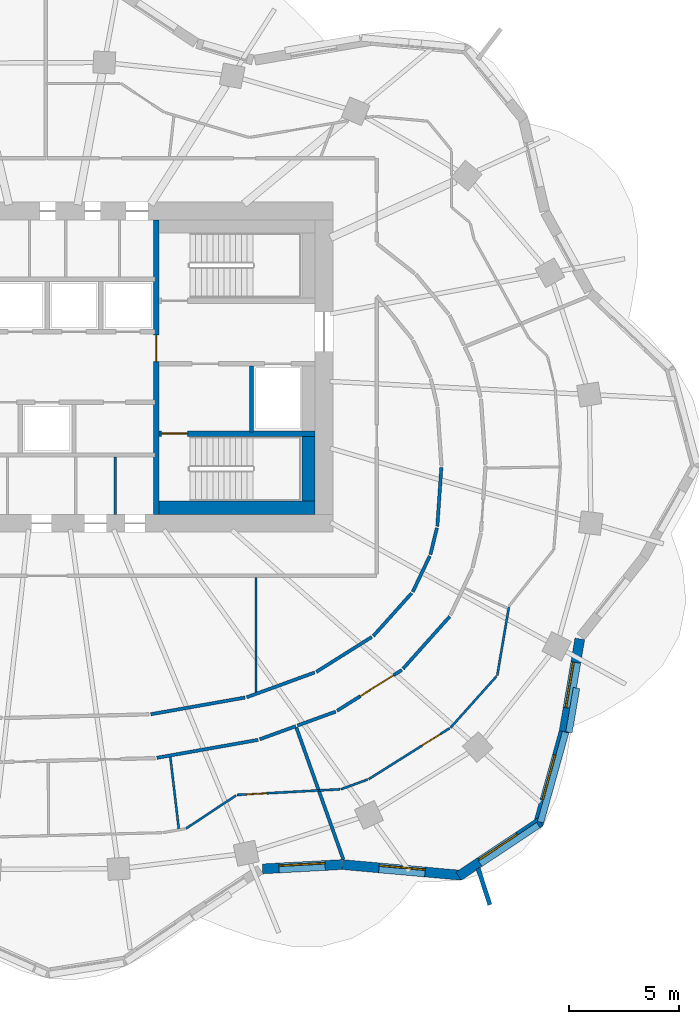
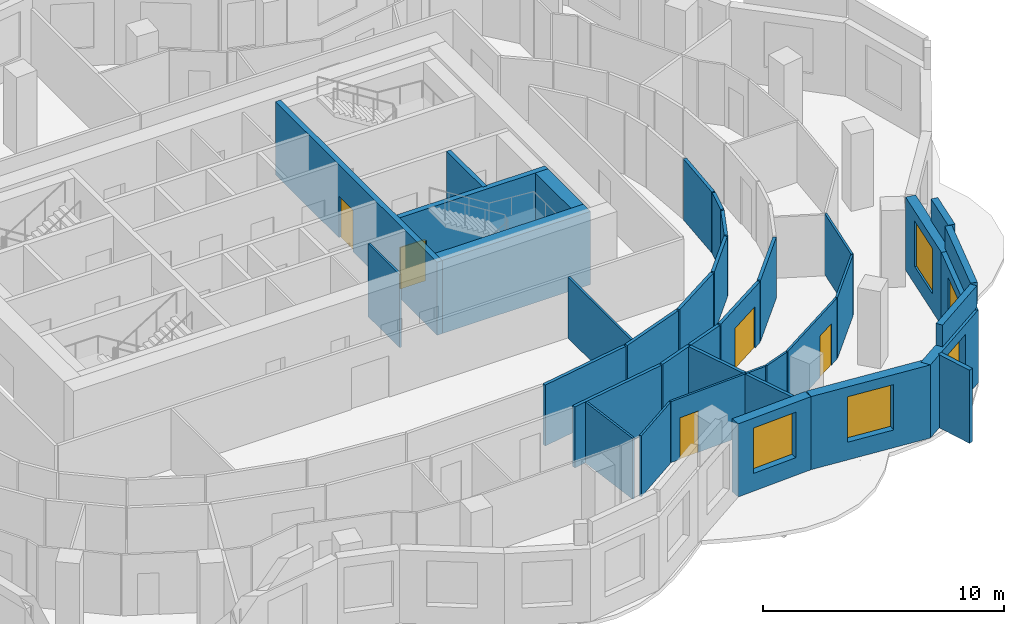
# One storey, part 6 of 11: 37 walls, 5 doors, 5 windows, 10 openings.
"""IFC4 building model written with IfcOpenShell, lengths in metres."""

from ifc_helpers import new_model, si_unit, direction, frame, frame_2d, origin, place, context, subcontext, project, spatial, rectangle, extrude, material, layer, layer_set, type_object, element, fill, save


model = new_model("IFC4")

# Units and contexts
model_context = context("Model", 3, precision=1e-05, world=origin(), true_north=direction((0.0, 1.0)))
body_context = subcontext(model_context, "Body", "Model", "MODEL_VIEW")
ifc_project = project(units=[si_unit("LENGTHUNIT", "METRE"), si_unit("AREAUNIT", "SQUARE_METRE"), si_unit("VOLUMEUNIT", "CUBIC_METRE"), si_unit("PLANEANGLEUNIT", "RADIAN"), si_unit("MASSUNIT", "GRAM", prefix="KILO")], contexts=[model_context])

# Site, building, storey
site_placement = place(None, origin())
site = spatial("IfcSite", under=ifc_project, at=site_placement, CompositionType="ELEMENT")
building_placement = place(site_placement, origin())
building = spatial("IfcBuilding", under=site, at=building_placement, Name="Rubra Terraces Tower", CompositionType="ELEMENT")
storey_placement = place(building_placement, frame((0.0, 0.0, 185.699951171875)))
storey = spatial("IfcBuildingStorey", under=building, at=storey_placement, Name="L45", CompositionType="ELEMENT", Elevation=185.699951171875)

# Wall, opening, window
ifc_material_1 = material(Name="Brick masonry red-brown", Category="masonry")
ifc_layer_1 = layer(ifc_material_1, 0.449951171875)
ifc_layer_set_1 = layer_set([ifc_layer_1], Name="Brick masonry red-brown")
wall_type_1 = type_object("IfcWallType", Name="Brick facade wall 450", PredefinedType="SOLIDWALL", material=ifc_layer_set_1)
wall_1_placement = place(storey_placement, frame((9.80322265625, -18.333740234375, 0.0), z_axis=(0.0, 0.0, 1.0), x_axis=(0.998525941495, 0.054276552602, 0.0)))
wall_1 = element("IfcWall", 1, at=wall_1_placement, inside=storey, type_object=wall_type_1, Name="Facade wall L45 bay 34", PredefinedType="SOLIDWALL", context=body_context, shape_type="SweptSolid", body=[
    extrude(rectangle(XDim=3.60302734375, YDim=0.449951171875, at=frame_2d((1.801513671875, 0.0))), origin(), (0.0, 0.0, 1.0), 3.699951171875),
])
opening_1_placement = place(wall_1_placement, frame((0.75146484375, 0.0, 0.89990234375)))
opening_1 = element("IfcOpeningElement", 2, at=opening_1_placement, cuts=wall_1, Name="Opening W1B", PredefinedType="OPENING", context=body_context, shape_type="SweptSolid", body=[
    extrude(rectangle(XDim=2.10009765625, YDim=2.300048828125, at=frame_2d((1.050048828125, 1.14990234375))), frame((0.0, 0.23486328125, 0.0), z_axis=(0.0, -1.0, 0.0), x_axis=(1.0, 0.0, 0.0)), (0.0, 0.0, 1.0), 0.469970703125),
])
ifc_material_2 = material(Name="Clear glass in aluminium frame", Category="aluminium")
window_type = type_object("IfcWindowType", Name="Fixed deep-set window tall storey 2100 x 2300", PartitioningType="SINGLE_PANEL", PredefinedType="WINDOW", material=ifc_material_2)
window_1_placement = place(opening_1_placement, origin())
window_1 = element("IfcWindow", 3, at=window_1_placement, inside=storey, type_object=window_type, Name="Window L45 bay 34", OverallHeight=2.300048828125, OverallWidth=2.10009765625, PartitioningType="SINGLE_PANEL", PredefinedType="WINDOW", context=body_context, shape_type="SweptSolid", body=[
    extrude(rectangle(XDim=2.10009765625, YDim=2.300048828125, at=frame_2d((1.050048828125, 1.14990234375))), frame((0.0, 0.135009765625, 0.0), z_axis=(0.0, -1.0, 0.0), x_axis=(1.0, 0.0, 0.0)), (0.0, 0.0, 1.0), 0.06005859375),
])
fill(opening_1, window_1)

wall_2_placement = place(storey_placement, frame((13.435791015625, -18.1376953125, 0.0), z_axis=(0.0, 0.0, 1.0), x_axis=(0.99598810213, -0.089485755376, 0.0)))
wall_2 = element("IfcWall", 4, at=wall_2_placement, inside=storey, type_object=wall_type_1, Name="Facade wall L45 bay 35", PredefinedType="SOLIDWALL", context=body_context, shape_type="SweptSolid", body=[
    extrude(rectangle(XDim=5.451171875, YDim=0.449951171875, at=frame_2d((2.7255859375, 0.0))), origin(), (0.0, 0.0, 1.0), 3.699951171875),
])
opening_2_placement = place(wall_2_placement, frame((1.675537109375, 0.0, 0.89990234375)))
opening_2 = element("IfcOpeningElement", 5, at=opening_2_placement, cuts=wall_2, Name="Opening W1B", PredefinedType="OPENING", context=body_context, shape_type="SweptSolid", body=[
    extrude(rectangle(XDim=2.10009765625, YDim=2.300048828125, at=frame_2d((1.050048828125, 1.14990234375))), frame((0.0, 0.23486328125, 0.0), z_axis=(0.0, -1.0, 0.0), x_axis=(1.0, 0.0, 0.0)), (0.0, 0.0, 1.0), 0.469970703125),
])
window_2_placement = place(opening_2_placement, origin())
window_2 = element("IfcWindow", 6, at=window_2_placement, inside=storey, type_object=window_type, Name="Window L45 bay 35", OverallHeight=2.300048828125, OverallWidth=2.10009765625, PartitioningType="SINGLE_PANEL", PredefinedType="WINDOW", context=body_context, shape_type="SweptSolid", body=[
    extrude(rectangle(XDim=2.10009765625, YDim=2.300048828125, at=frame_2d((1.050048828125, 1.14990234375))), frame((0.0, 0.135009765625, 0.0), z_axis=(0.0, -1.0, 0.0), x_axis=(1.0, 0.0, 0.0)), (0.0, 0.0, 1.0), 0.06005859375),
])
fill(opening_2, window_2)

wall_3_placement = place(storey_placement, frame((18.7255859375, -18.66259765625, 0.0), z_axis=(0.0, 0.0, 1.0), x_axis=(0.83333921474, 0.552761931736, 0.0)))
wall_3 = element("IfcWall", 7, at=wall_3_placement, inside=storey, type_object=wall_type_1, Name="Facade wall L45 bay 36", PredefinedType="SOLIDWALL", context=body_context, shape_type="SweptSolid", body=[
    extrude(rectangle(XDim=4.45068359375, YDim=0.449951171875, at=frame_2d((2.225341796875, 0.0))), origin(), (0.0, 0.0, 1.0), 3.699951171875),
])
opening_3_placement = place(wall_3_placement, frame((1.17529296875, 0.0, 0.89990234375)))
opening_3 = element("IfcOpeningElement", 8, at=opening_3_placement, cuts=wall_3, Name="Opening W1B", PredefinedType="OPENING", context=body_context, shape_type="SweptSolid", body=[
    extrude(rectangle(XDim=2.10009765625, YDim=2.300048828125, at=frame_2d((1.050048828125, 1.14990234375))), frame((0.0, 0.23486328125, 0.0), z_axis=(0.0, -1.0, 0.0), x_axis=(1.0, 0.0, 0.0)), (0.0, 0.0, 1.0), 0.469970703125),
])
window_3_placement = place(opening_3_placement, origin())
window_3 = element("IfcWindow", 9, at=window_3_placement, inside=storey, type_object=window_type, Name="Window L45 bay 36", OverallHeight=2.300048828125, OverallWidth=2.10009765625, PartitioningType="SINGLE_PANEL", PredefinedType="WINDOW", context=body_context, shape_type="SweptSolid", body=[
    extrude(rectangle(XDim=2.10009765625, YDim=2.300048828125, at=frame_2d((1.050048828125, 1.14990234375))), frame((0.0, 0.135009765625, 0.0), z_axis=(0.0, -1.0, 0.0), x_axis=(1.0, 0.0, 0.0)), (0.0, 0.0, 1.0), 0.06005859375),
])
fill(opening_3, window_3)

wall_4_placement = place(storey_placement, frame((22.343505859375, -16.32568359375, 0.0), z_axis=(0.0, 0.0, 1.0), x_axis=(0.267925456304, 0.963439645159, 0.0)))
wall_4 = element("IfcWall", 10, at=wall_4_placement, inside=storey, type_object=wall_type_1, Name="Facade wall L45 bay 37", PredefinedType="SOLIDWALL", context=body_context, shape_type="SweptSolid", body=[
    extrude(rectangle(XDim=4.4267578125, YDim=0.449951171875, at=frame_2d((2.21337890625, 0.0))), origin(), (0.0, 0.0, 1.0), 3.699951171875),
])
opening_4_placement = place(wall_4_placement, frame((1.16357421875, 0.0, 0.89990234375)))
opening_4 = element("IfcOpeningElement", 11, at=opening_4_placement, cuts=wall_4, Name="Opening W1B", PredefinedType="OPENING", context=body_context, shape_type="SweptSolid", body=[
    extrude(rectangle(XDim=2.10009765625, YDim=2.300048828125, at=frame_2d((1.050048828125, 1.14990234375))), frame((0.0, 0.23486328125, 0.0), z_axis=(0.0, -1.0, 0.0), x_axis=(1.0, 0.0, 0.0)), (0.0, 0.0, 1.0), 0.469970703125),
])
window_4_placement = place(opening_4_placement, origin())
window_4 = element("IfcWindow", 12, at=window_4_placement, inside=storey, type_object=window_type, Name="Window L45 bay 37", OverallHeight=2.300048828125, OverallWidth=2.10009765625, PartitioningType="SINGLE_PANEL", PredefinedType="WINDOW", context=body_context, shape_type="SweptSolid", body=[
    extrude(rectangle(XDim=2.10009765625, YDim=2.300048828125, at=frame_2d((1.050048828125, 1.14990234375))), frame((0.0, 0.135009765625, 0.0), z_axis=(0.0, -1.0, 0.0), x_axis=(1.0, 0.0, 0.0)), (0.0, 0.0, 1.0), 0.06005859375),
])
fill(opening_4, window_4)

wall_5_placement = place(storey_placement, frame((23.524169921875, -12.0830078125, 0.0), z_axis=(0.0, 0.0, 1.0), x_axis=(0.167445072349, 0.985881406532, 0.0)))
wall_5 = element("IfcWall", 13, at=wall_5_placement, inside=storey, type_object=wall_type_1, Name="Facade wall L45 bay 38", PredefinedType="SOLIDWALL", context=body_context, shape_type="SweptSolid", body=[
    extrude(rectangle(XDim=4.27490234375, YDim=0.449951171875, at=frame_2d((2.137451171875, 0.0))), origin(), (0.0, 0.0, 1.0), 3.699951171875),
])
opening_5_placement = place(wall_5_placement, frame((1.08740234375, 0.0, 0.89990234375)))
opening_5 = element("IfcOpeningElement", 14, at=opening_5_placement, cuts=wall_5, Name="Opening W1B", PredefinedType="OPENING", context=body_context, shape_type="SweptSolid", body=[
    extrude(rectangle(XDim=2.10009765625, YDim=2.300048828125, at=frame_2d((1.050048828125, 1.14990234375))), frame((0.0, 0.23486328125, 0.0), z_axis=(0.0, -1.0, 0.0), x_axis=(1.0, 0.0, 0.0)), (0.0, 0.0, 1.0), 0.469970703125),
])
window_5_placement = place(opening_5_placement, origin())
window_5 = element("IfcWindow", 15, at=window_5_placement, inside=storey, type_object=window_type, Name="Window L45 bay 38", OverallHeight=2.300048828125, OverallWidth=2.10009765625, PartitioningType="SINGLE_PANEL", PredefinedType="WINDOW", context=body_context, shape_type="SweptSolid", body=[
    extrude(rectangle(XDim=2.10009765625, YDim=2.300048828125, at=frame_2d((1.050048828125, 1.14990234375))), frame((0.0, 0.135009765625, 0.0), z_axis=(0.0, -1.0, 0.0), x_axis=(1.0, 0.0, 0.0)), (0.0, 0.0, 1.0), 0.06005859375),
])
fill(opening_5, window_5)

# Walls
ifc_layer_2 = layer(ifc_material_1, 0.300048828125)
ifc_layer_set_2 = layer_set([ifc_layer_2], Name="Brick masonry red-brown")
wall_type_2 = type_object("IfcWallType", Name="Brick parapet 300", PredefinedType="PARAPET", material=ifc_layer_set_2)
wall_6_placement = place(storey_placement, frame((19.70751953125, -18.101318359375, 3.900146484375), z_axis=(0.0, 0.0, 1.0), x_axis=(0.833370664286, 0.552714515738, 0.0)))
element("IfcWall", 16, at=wall_6_placement, inside=storey, type_object=wall_type_2, Name="Parapet L45 bay 36", PredefinedType="PARAPET", context=body_context, shape_type="SweptSolid", body=[
    extrude(rectangle(XDim=3.180419921875, YDim=0.300048828125, at=frame_2d((1.59033203125, 0.0))), origin(), (0.0, 0.0, 1.0), 1.099853515625),
])
wall_7_placement = place(storey_placement, frame((22.452392578125, -16.213134765625, 3.900146484375), z_axis=(0.0, 0.0, 1.0), x_axis=(0.267993020858, 0.963420853403, 0.0)))
element("IfcWall", 17, at=wall_7_placement, inside=storey, type_object=wall_type_2, Name="Parapet L45 bay 37", PredefinedType="PARAPET", context=body_context, shape_type="SweptSolid", body=[
    extrude(rectangle(XDim=4.25537109375, YDim=0.300048828125, at=frame_2d((2.127685546875, 0.0))), origin(), (0.0, 0.0, 1.0), 1.099853515625),
])
wall_8_placement = place(storey_placement, frame((23.7451171875, -12.125, 3.900146484375), z_axis=(0.0, 0.0, 1.0), x_axis=(0.16743218322, 0.985883595574, 0.0)))
element("IfcWall", 18, at=wall_8_placement, inside=storey, type_object=wall_type_2, Name="Parapet L45 bay 38", PredefinedType="PARAPET", context=body_context, shape_type="SweptSolid", body=[
    extrude(rectangle(XDim=2.048583984375, YDim=0.300048828125, at=frame_2d((1.0244140625, 0.0))), origin(), (0.0, 0.0, 1.0), 1.099853515625),
])
ifc_layer_3 = layer(ifc_material_1, 0.199951171875)
ifc_layer_set_3 = layer_set([ifc_layer_3], Name="Brick masonry red-brown")
wall_type_3 = type_object("IfcWallType", Name="Brick wind fin 200", PredefinedType="SOLIDWALL", material=ifc_layer_set_3)
wall_9_placement = place(storey_placement, frame((19.60888671875, -18.304931640625, 0.0), z_axis=(0.0, 0.0, 1.0), x_axis=(0.308600224758, -0.951191832008, 0.0)))
element("IfcWall", 19, at=wall_9_placement, inside=storey, type_object=wall_type_3, Name="Wind fin L45 22", PredefinedType="SOLIDWALL", context=body_context, shape_type="SweptSolid", body=[
    extrude(rectangle(XDim=1.75, YDim=0.199951171875, at=frame_2d((0.875, 0.0))), origin(), (0.0, 0.0, 1.0), 3.699951171875),
])
ifc_material_3 = material(Name="Plasterboard on steel stud, mineral wool infill", Category="steel")
ifc_layer_4 = layer(ifc_material_3, 0.14990234375)
ifc_layer_set_4 = layer_set([ifc_layer_4], Name="Plasterboard on steel stud, mineral wool infill")
wall_type_4 = type_object("IfcWallType", Name="CORRIDOR PARTITION 150", PredefinedType="PARTITIONING", material=ifc_layer_set_4)
wall_10_placement = place(storey_placement, frame((4.994873046875, -13.28125, 0.0), z_axis=(0.0, 0.0, 1.0), x_axis=(0.98463411377, 0.174630071865, 0.0)))
element("IfcWall", 20, at=wall_10_placement, inside=storey, type_object=wall_type_4, Name="PARTITION", PredefinedType="PARTITIONING", context=body_context, shape_type="SweptSolid", body=[
    extrude(rectangle(XDim=4.68212890625, YDim=0.14990234375, at=frame_2d((2.341064453125, 0.0))), origin(), (0.0, 0.0, 1.0), 3.083984375),
])
wall_11_placement = place(storey_placement, frame((9.675537109375, -12.43798828125, 0.0), z_axis=(0.0, 0.0, 1.0), x_axis=(0.939630331536, 0.342191233169, 0.0)))
element("IfcWall", 21, at=wall_11_placement, inside=storey, type_object=wall_type_4, Name="PARTITION", PredefinedType="PARTITIONING", context=body_context, shape_type="SweptSolid", body=[
    extrude(rectangle(XDim=1.74951171875, YDim=0.14990234375, at=frame_2d((0.874755859375, 0.0))), origin(), (0.0, 0.0, 1.0), 3.083984375),
])
wall_12_placement = place(storey_placement, frame((11.389892578125, -11.813720703125, 0.0), z_axis=(0.0, 0.0, 1.0), x_axis=(0.939639632456, 0.342165692491, 0.0)))
element("IfcWall", 22, at=wall_12_placement, inside=storey, type_object=wall_type_4, Name="PARTITION", PredefinedType="PARTITIONING", context=body_context, shape_type="SweptSolid", body=[
    extrude(rectangle(XDim=1.855224609375, YDim=0.14990234375, at=frame_2d((0.927734375, 0.0))), origin(), (0.0, 0.0, 1.0), 3.083984375),
])

# Wall, opening, door
wall_13_placement = place(storey_placement, frame((13.196533203125, -11.138916015625, 0.0), z_axis=(0.0, 0.0, 1.0), x_axis=(0.846390903833, 0.532562144644, 0.0)))
wall_13 = element("IfcWall", 23, at=wall_13_placement, inside=storey, type_object=wall_type_4, Name="PARTITION", PredefinedType="PARTITIONING", context=body_context, shape_type="SweptSolid", body=[
    extrude(rectangle(XDim=3.481201171875, YDim=0.14990234375, at=frame_2d((1.74072265625, 0.0))), origin(), (0.0, 0.0, 1.0), 3.083984375),
])
opening_6_placement = place(wall_13_placement, frame((1.25, 0.0, 0.0)))
opening_6 = element("IfcOpeningElement", 24, at=opening_6_placement, cuts=wall_13, Name="Opening 45-112", PredefinedType="OPENING", context=body_context, shape_type="SweptSolid", body=[
    extrude(rectangle(XDim=1.800048828125, YDim=2.10009765625, at=frame_2d((0.89990234375, 1.050048828125))), frame((0.0, 0.0849609375, 0.0), z_axis=(0.0, -1.0, 0.0), x_axis=(1.0, 0.0, 0.0)), (0.0, 0.0, 1.0), 0.169921875),
])
ifc_material_4 = material(Name="Painted timber door leaf, double", Category="wood")
door_type_1 = type_object("IfcDoorType", Name="ROOM DOUBLE DOOR 1800 X 2100", OperationType="DOUBLE_DOOR_SINGLE_SWING", PredefinedType="DOOR", material=ifc_material_4)
door_1_placement = place(opening_6_placement, origin())
door_1 = element("IfcDoor", 25, at=door_1_placement, inside=storey, type_object=door_type_1, Name="DOOR 45-112", OperationType="DOUBLE_DOOR_SINGLE_SWING", OverallHeight=2.10009765625, OverallWidth=1.800048828125, PredefinedType="DOOR", context=body_context, shape_type="SweptSolid", body=[
    extrude(rectangle(XDim=1.800048828125, YDim=2.10009765625, at=frame_2d((0.89990234375, 1.050048828125))), frame((0.0, 0.02490234375, 0.0), z_axis=(0.0, -1.0, 0.0), x_axis=(1.0, 0.0, 0.0)), (0.0, 0.0, 1.0), 0.050048828125),
])
fill(opening_6, door_1)

# Walls
wall_14_placement = place(storey_placement, frame((16.193115234375, -9.22900390625, 0.0), z_axis=(0.0, 0.0, 1.0), x_axis=(0.666882089048, 0.745163256815, 0.0)))
element("IfcWall", 26, at=wall_14_placement, inside=storey, type_object=wall_type_4, Name="PARTITION", PredefinedType="PARTITIONING", context=body_context, shape_type="SweptSolid", body=[
    extrude(rectangle(XDim=3.1904296875, YDim=0.14990234375, at=frame_2d((1.59521484375, 0.0))), origin(), (0.0, 0.0, 1.0), 3.083984375),
])
wall_15_placement = place(storey_placement, frame((17.939208984375, -0.07470703125, 0.0), z_axis=(0.0, 0.0, 1.0), x_axis=(-0.068226099283, -0.99766988497, 0.0)))
element("IfcWall", 27, at=wall_15_placement, inside=storey, type_object=wall_type_4, Name="PARTITION", PredefinedType="PARTITIONING", context=body_context, shape_type="SweptSolid", body=[
    extrude(rectangle(XDim=2.6767578125, YDim=0.14990234375, at=frame_2d((1.33837890625, 0.0))), origin(), (0.0, 0.0, 1.0), 3.083984375),
])
wall_16_placement = place(storey_placement, frame((17.739013671875, -2.818115234375, 0.0), z_axis=(0.0, 0.0, 1.0), x_axis=(-0.236884307907, -0.971537865792, 0.0)))
element("IfcWall", 28, at=wall_16_placement, inside=storey, type_object=wall_type_4, Name="PARTITION", PredefinedType="PARTITIONING", context=body_context, shape_type="SweptSolid", body=[
    extrude(rectangle(XDim=1.251220703125, YDim=0.14990234375, at=frame_2d((0.62548828125, 0.0))), origin(), (0.0, 0.0, 1.0), 3.083984375),
])
wall_17_placement = place(storey_placement, frame((17.410400390625, -4.1015625, 0.0), z_axis=(0.0, 0.0, 1.0), x_axis=(-0.428074720318, -0.903743345107, 0.0)))
element("IfcWall", 29, at=wall_17_placement, inside=storey, type_object=wall_type_4, Name="PARTITION", PredefinedType="PARTITIONING", context=body_context, shape_type="SweptSolid", body=[
    extrude(rectangle(XDim=1.8056640625, YDim=0.14990234375, at=frame_2d((0.90283203125, 0.0))), origin(), (0.0, 0.0, 1.0), 3.083984375),
])
wall_18_placement = place(storey_placement, frame((16.58740234375, -5.789306640625, 0.0), z_axis=(0.0, 0.0, 1.0), x_axis=(-0.666887460656, -0.745158449472, 0.0)))
element("IfcWall", 30, at=wall_18_placement, inside=storey, type_object=wall_type_4, Name="PARTITION", PredefinedType="PARTITIONING", context=body_context, shape_type="SweptSolid", body=[
    extrude(rectangle(XDim=2.6201171875, YDim=0.14990234375, at=frame_2d((1.31005859375, 0.0))), origin(), (0.0, 0.0, 1.0), 3.083984375),
])
wall_19_placement = place(storey_placement, frame((14.776611328125, -7.781494140625, 0.0), z_axis=(0.0, 0.0, 1.0), x_axis=(-0.846359741043, -0.532611667862, 0.0)))
element("IfcWall", 31, at=wall_19_placement, inside=storey, type_object=wall_type_4, Name="PARTITION", PredefinedType="PARTITIONING", context=body_context, shape_type="SweptSolid", body=[
    extrude(rectangle(XDim=2.9873046875, YDim=0.14990234375, at=frame_2d((1.49365234375, 0.0))), origin(), (0.0, 0.0, 1.0), 3.083984375),
])
wall_20_placement = place(storey_placement, frame((12.177734375, -9.398193359375, 0.0), z_axis=(0.0, 0.0, 1.0), x_axis=(-0.939609240084, -0.342249143093, 0.0)))
element("IfcWall", 32, at=wall_20_placement, inside=storey, type_object=wall_type_4, Name="PARTITION", PredefinedType="PARTITIONING", context=body_context, shape_type="SweptSolid", body=[
    extrude(rectangle(XDim=3.2919921875, YDim=0.14990234375, at=frame_2d((1.64599609375, 0.0))), origin(), (0.0, 0.0, 1.0), 3.083984375),
])
wall_21_placement = place(storey_placement, frame((9.010498046875, -10.5380859375, 0.0), z_axis=(0.0, 0.0, 1.0), x_axis=(-0.984645638575, -0.174565077936, 0.0)))
element("IfcWall", 33, at=wall_21_placement, inside=storey, type_object=wall_type_4, Name="PARTITION", PredefinedType="PARTITIONING", context=body_context, shape_type="SweptSolid", body=[
    extrude(rectangle(XDim=4.35791015625, YDim=0.14990234375, at=frame_2d((2.178955078125, 0.0))), origin(), (0.0, 0.0, 1.0), 3.083984375),
])
ifc_material_5 = material(Name="Concrete C40", Category="concrete")
ifc_layer_5 = layer(ifc_material_5, 0.60009765625)
ifc_layer_set_5 = layer_set([ifc_layer_5], Name="Concrete C40")
wall_type_5 = type_object("IfcWallType", Name="Core lining wall 600 concrete", PredefinedType="SOLIDWALL", material=ifc_layer_set_5)
wall_22_placement = place(storey_placement, frame((11.89990234375, 1.35009765625, 0.0), z_axis=(0.0, 0.0, 1.0), x_axis=(0.0, -1.0, 0.0)))
element("IfcWall", 34, at=wall_22_placement, inside=storey, type_object=wall_type_5, Name="CORE LINING WALL L45", PredefinedType="SOLIDWALL", context=body_context, shape_type="SweptSolid", body=[
    extrude(rectangle(XDim=2.9501953125, YDim=0.60009765625, at=frame_2d((1.47509765625, 0.0))), origin(), (0.0, 0.0, 1.0), 3.699951171875),
])
wall_23_placement = place(storey_placement, frame((12.199951171875, -1.89990234375, 0.0), z_axis=(0.0, 0.0, 1.0), x_axis=(-1.0, 0.0, 0.0)))
element("IfcWall", 35, at=wall_23_placement, inside=storey, type_object=wall_type_5, Name="CORE LINING WALL L45", PredefinedType="SOLIDWALL", context=body_context, shape_type="SweptSolid", body=[
    extrude(rectangle(XDim=7.099853515625, YDim=0.60009765625, at=frame_2d((3.5498046875, 0.0))), origin(), (0.0, 0.0, 1.0), 3.699951171875),
])
ifc_material_6 = material(Name="Concrete C30", Category="concrete")
ifc_layer_6 = layer(ifc_material_6, 0.199951171875)
ifc_layer_set_6 = layer_set([ifc_layer_6], Name="Concrete C30")
wall_type_6 = type_object("IfcWallType", Name="Core wall 200 concrete", PredefinedType="SOLIDWALL", material=ifc_layer_set_6)
wall_24_placement = place(storey_placement, frame((9.300048828125, 4.550048828125, 0.0), z_axis=(0.0, 0.0, 1.0), x_axis=(0.0, -1.0, 0.0)))
element("IfcWall", 36, at=wall_24_placement, inside=storey, type_object=wall_type_6, Name="STAIR WALL L45", PredefinedType="SOLIDWALL", context=body_context, shape_type="SweptSolid", body=[
    extrude(rectangle(XDim=3.0, YDim=0.199951171875, at=frame_2d((1.5, 0.0))), origin(), (0.0, 0.0, 1.0), 3.699951171875),
])

# Wall, opening, door
ifc_material_7 = material(Name="Plasterboard on steel stud", Category="steel")
ifc_layer_7 = layer(ifc_material_7, 0.10009765625)
ifc_layer_set_7 = layer_set([ifc_layer_7], Name="Plasterboard on steel stud")
wall_type_7 = type_object("IfcWallType", Name="ROOM PARTITION 100", PredefinedType="PARTITIONING", material=ifc_layer_set_7)
wall_25_placement = place(storey_placement, frame((12.340087890625, -14.765869140625, 0.0), z_axis=(0.0, 0.0, 1.0), x_axis=(-0.998525257467, -0.054289135192, 0.0)))
wall_25 = element("IfcWall", 37, at=wall_25_placement, inside=storey, type_object=wall_type_7, Name="PARTITION", PredefinedType="PARTITIONING", context=body_context, shape_type="SweptSolid", body=[
    extrude(rectangle(XDim=3.7099609375, YDim=0.10009765625, at=frame_2d((1.85498046875, 0.0))), origin(), (0.0, 0.0, 1.0), 3.083984375),
])
opening_7_placement = place(wall_25_placement, frame((2.35009765625, 0.0, 0.0)))
opening_7 = element("IfcOpeningElement", 38, at=opening_7_placement, cuts=wall_25, Name="Opening 45-111", PredefinedType="OPENING", context=body_context, shape_type="SweptSolid", body=[
    extrude(rectangle(XDim=0.89990234375, YDim=2.10009765625, at=frame_2d((0.449951171875, 1.050048828125))), frame((0.0, 0.06005859375, 0.0), z_axis=(0.0, -1.0, 0.0), x_axis=(1.0, 0.0, 0.0)), (0.0, 0.0, 1.0), 0.1201171875),
])
ifc_material_8 = material(Name="Painted timber door leaf", Category="wood")
door_type_2 = type_object("IfcDoorType", Name="ROOM DOOR 900 X 2100", OperationType="SINGLE_SWING_LEFT", PredefinedType="DOOR", material=ifc_material_8)
door_2_placement = place(opening_7_placement, origin())
door_2 = element("IfcDoor", 39, at=door_2_placement, inside=storey, type_object=door_type_2, Name="DOOR 45-111", OperationType="SINGLE_SWING_LEFT", OverallHeight=2.10009765625, OverallWidth=0.89990234375, PredefinedType="DOOR", context=body_context, shape_type="SweptSolid", body=[
    extrude(rectangle(XDim=0.89990234375, YDim=2.10009765625, at=frame_2d((0.449951171875, 1.050048828125))), frame((0.0, 0.02490234375, 0.0), z_axis=(0.0, -1.0, 0.0), x_axis=(1.0, 0.0, 0.0)), (0.0, 0.0, 1.0), 0.050048828125),
])
fill(opening_7, door_2)

# Walls
wall_26_placement = place(storey_placement, frame((8.59375, -14.9951171875, 0.0), z_axis=(0.0, 0.0, 1.0), x_axis=(-0.834069742789, -0.55165901077, 0.0)))
element("IfcWall", 40, at=wall_26_placement, inside=storey, type_object=wall_type_7, Name="PARTITION", PredefinedType="PARTITIONING", context=body_context, shape_type="SweptSolid", body=[
    extrude(rectangle(XDim=2.7265625, YDim=0.10009765625, at=frame_2d((1.36328125, 0.0))), origin(), (0.0, 0.0, 1.0), 3.083984375),
])
wall_27_placement = place(storey_placement, frame((5.608642578125, -13.248291015625, 0.0), z_axis=(0.0, 0.0, 1.0), x_axis=(0.116906011252, -0.993142982925, 0.0)))
element("IfcWall", 41, at=wall_27_placement, inside=storey, type_object=wall_type_7, Name="PARTITION", PredefinedType="PARTITIONING", context=body_context, shape_type="SweptSolid", body=[
    extrude(rectangle(XDim=3.28076171875, YDim=0.10009765625, at=frame_2d((1.640380859375, 0.0))), origin(), (0.0, 0.0, 1.0), 3.083984375),
])
wall_28_placement = place(storey_placement, frame((21.010986328125, -6.42431640625, 0.0), z_axis=(0.0, 0.0, 1.0), x_axis=(-0.167360753367, -0.985895723813, 0.0)))
element("IfcWall", 42, at=wall_28_placement, inside=storey, type_object=wall_type_7, Name="PARTITION", PredefinedType="PARTITIONING", context=body_context, shape_type="SweptSolid", body=[
    extrude(rectangle(XDim=3.15380859375, YDim=0.10009765625, at=frame_2d((1.576904296875, 0.0))), origin(), (0.0, 0.0, 1.0), 3.083984375),
])
wall_29_placement = place(storey_placement, frame((20.44970703125, -9.571044921875, 0.0), z_axis=(0.0, 0.0, 1.0), x_axis=(-0.666910888996, -0.745137481368, 0.0)))
element("IfcWall", 43, at=wall_29_placement, inside=storey, type_object=wall_type_7, Name="PARTITION", PredefinedType="PARTITIONING", context=body_context, shape_type="SweptSolid", body=[
    extrude(rectangle(XDim=3.136474609375, YDim=0.10009765625, at=frame_2d((1.568359375, 0.0))), origin(), (0.0, 0.0, 1.0), 3.083984375),
])

# Wall, opening, door
wall_30_placement = place(storey_placement, frame((18.315673828125, -11.934814453125, 0.0), z_axis=(0.0, 0.0, 1.0), x_axis=(-0.84637539713, -0.532586788358, 0.0)))
wall_30 = element("IfcWall", 44, at=wall_30_placement, inside=storey, type_object=wall_type_7, Name="PARTITION", PredefinedType="PARTITIONING", context=body_context, shape_type="SweptSolid", body=[
    extrude(rectangle(XDim=4.34619140625, YDim=0.10009765625, at=frame_2d((2.173095703125, 0.0))), origin(), (0.0, 0.0, 1.0), 3.083984375),
])
opening_8_placement = place(wall_30_placement, frame((0.5, 0.0, 0.0)))
opening_8 = element("IfcOpeningElement", 45, at=opening_8_placement, cuts=wall_30, Name="Opening 45-113", PredefinedType="OPENING", context=body_context, shape_type="SweptSolid", body=[
    extrude(rectangle(XDim=1.0, YDim=2.10009765625, at=frame_2d((0.5, 1.050048828125))), frame((0.0, 0.06005859375, 0.0), z_axis=(0.0, -1.0, 0.0), x_axis=(1.0, 0.0, 0.0)), (0.0, 0.0, 1.0), 0.1201171875),
])
door_type_3 = type_object("IfcDoorType", Name="ROOM DOOR 1000 X 2100", OperationType="SINGLE_SWING_LEFT", PredefinedType="DOOR", material=ifc_material_8)
door_3_placement = place(opening_8_placement, origin())
door_3 = element("IfcDoor", 46, at=door_3_placement, inside=storey, type_object=door_type_3, Name="DOOR 45-113", OperationType="SINGLE_SWING_RIGHT", OverallHeight=2.10009765625, OverallWidth=1.0, PredefinedType="DOOR", context=body_context, shape_type="SweptSolid", body=[
    extrude(rectangle(XDim=1.0, YDim=2.10009765625, at=frame_2d((0.5, 1.050048828125))), frame((0.0, 0.02490234375, 0.0), z_axis=(0.0, -1.0, 0.0), x_axis=(1.0, 0.0, 0.0)), (0.0, 0.0, 1.0), 0.050048828125),
])
fill(opening_8, door_3)

# Walls
wall_31_placement = place(storey_placement, frame((14.590087890625, -14.2666015625, 0.0), z_axis=(0.0, 0.0, 1.0), x_axis=(-0.939589516809, -0.342303286433, 0.0)))
element("IfcWall", 47, at=wall_31_placement, inside=storey, type_object=wall_type_7, Name="PARTITION", PredefinedType="PARTITIONING", context=body_context, shape_type="SweptSolid", body=[
    extrude(rectangle(XDim=1.29443359375, YDim=0.10009765625, at=frame_2d((0.647216796875, 0.0))), origin(), (0.0, 0.0, 1.0), 3.083984375),
])
wall_32_placement = place(storey_placement, frame((13.323974609375, -14.71240234375, 0.0), z_axis=(0.0, 0.0, 1.0), x_axis=(-0.998522607903, -0.054337845986, 0.0)))
element("IfcWall", 48, at=wall_32_placement, inside=storey, type_object=wall_type_7, Name="PARTITION", PredefinedType="PARTITIONING", context=body_context, shape_type="SweptSolid", body=[
    extrude(rectangle(XDim=0.943603515625, YDim=0.10009765625, at=frame_2d((0.4716796875, 0.0))), origin(), (0.0, 0.0, 1.0), 3.083984375),
])
wall_33_placement = place(storey_placement, frame((9.5, -10.298583984375, 0.0), z_axis=(0.0, 0.0, 1.0), x_axis=(0.0, 1.0, 0.0)))
element("IfcWall", 49, at=wall_33_placement, inside=storey, type_object=wall_type_7, Name="PARTITION", PredefinedType="PARTITIONING", context=body_context, shape_type="SweptSolid", body=[
    extrude(rectangle(XDim=5.2236328125, YDim=0.10009765625, at=frame_2d((2.61181640625, 0.0))), origin(), (0.0, 0.0, 1.0), 3.083984375),
])
ifc_layer_8 = layer(ifc_material_7, 0.14990234375)
ifc_layer_set_8 = layer_set([ifc_layer_8], Name="Plasterboard on steel stud")
wall_type_8 = type_object("IfcWallType", Name="ROOM PARTITION 150", PredefinedType="PARTITIONING", material=ifc_layer_set_8)
wall_34_placement = place(storey_placement, frame((13.4833984375, -17.916015625, 0.0), z_axis=(0.0, 0.0, 1.0), x_axis=(-0.33549690644, 0.942041307889, 0.0)))
element("IfcWall", 50, at=wall_34_placement, inside=storey, type_object=wall_type_8, Name="PARTITION", PredefinedType="PARTITIONING", context=body_context, shape_type="SweptSolid", body=[
    extrude(rectangle(XDim=6.37548828125, YDim=0.14990234375, at=frame_2d((3.187744140625, 0.0))), origin(), (0.0, 0.0, 1.0), 3.083984375),
])
ifc_material_9 = material(Name="Blockwork", Category="masonry")
ifc_layer_9 = layer(ifc_material_9, 0.10009765625)
ifc_layer_set_9 = layer_set([ifc_layer_9], Name="Blockwork")
wall_type_9 = type_object("IfcWallType", Name="Service partition 100 blockwork", PredefinedType="PARTITIONING", material=ifc_layer_set_9)
wall_35_placement = place(storey_placement, frame((3.10009765625, -2.199951171875, 0.0), z_axis=(0.0, 0.0, 1.0), x_axis=(0.0, 1.0, 0.0)))
element("IfcWall", 51, at=wall_35_placement, inside=storey, type_object=wall_type_9, Name="SERVICE ROOM PARTITION L45", PredefinedType="PARTITIONING", context=body_context, shape_type="SweptSolid", body=[
    extrude(rectangle(XDim=2.599853515625, YDim=0.10009765625, at=frame_2d((1.2998046875, 0.0))), origin(), (0.0, 0.0, 1.0), 3.699951171875),
])

# Wall, opening, door
ifc_layer_10 = layer(ifc_material_5, 0.25)
ifc_layer_set_10 = layer_set([ifc_layer_10], Name="Concrete C40")
wall_type_10 = type_object("IfcWallType", Name="Stair enclosure wall 250 concrete", PredefinedType="SOLIDWALL", material=ifc_layer_set_10)
wall_36_placement = place(storey_placement, frame((12.199951171875, 1.47509765625, 0.0), z_axis=(0.0, 0.0, 1.0), x_axis=(-1.0, 0.0, 0.0)))
wall_36 = element("IfcWall", 52, at=wall_36_placement, inside=storey, type_object=wall_type_10, Name="STAIR WALL L45", PredefinedType="SOLIDWALL", context=body_context, shape_type="SweptSolid", body=[
    extrude(rectangle(XDim=7.099853515625, YDim=0.25, at=frame_2d((3.5498046875, 0.0))), origin(), (0.0, 0.0, 1.0), 3.699951171875),
])
opening_9_placement = place(wall_36_placement, frame((5.800048828125, 0.0, 0.0)))
opening_9 = element("IfcOpeningElement", 53, at=opening_9_placement, cuts=wall_36, Name="Opening L45.C10", PredefinedType="OPENING", context=body_context, shape_type="SweptSolid", body=[
    extrude(rectangle(XDim=1.199951171875, YDim=2.10009765625, at=frame_2d((0.60009765625, 1.050048828125))), frame((0.0, 0.135009765625, 0.0), z_axis=(0.0, -1.0, 0.0), x_axis=(1.0, 0.0, 0.0)), (0.0, 0.0, 1.0), 0.27001953125),
])
ifc_material_10 = material(Name="Painted steel", Category="steel")
door_type_4 = type_object("IfcDoorType", Name="Fire door 1200x2100 single", OperationType="NOTDEFINED", PredefinedType="DOOR", material=ifc_material_10)
door_4_placement = place(opening_9_placement, origin())
door_4 = element("IfcDoor", 54, at=door_4_placement, inside=storey, type_object=door_type_4, Name="Stair door S4", OperationType="SINGLE_SWING_RIGHT", OverallHeight=2.10009765625, OverallWidth=1.199951171875, PredefinedType="DOOR", context=body_context, shape_type="SweptSolid", body=[
    extrude(rectangle(XDim=1.199951171875, YDim=2.10009765625, at=frame_2d((0.60009765625, 1.050048828125))), frame((0.0, 0.02490234375, 0.0), z_axis=(0.0, -1.0, 0.0), x_axis=(1.0, 0.0, 0.0)), (0.0, 0.0, 1.0), 0.050048828125),
])
fill(opening_9, door_4)

wall_37_placement = place(storey_placement, frame((4.97509765625, 11.199951171875, 0.0), z_axis=(0.0, 0.0, 1.0), x_axis=(0.0, -1.0, 0.0)))
wall_37 = element("IfcWall", 55, at=wall_37_placement, inside=storey, type_object=wall_type_10, Name="CORE LOBBY WALL L45", PredefinedType="SOLIDWALL", context=body_context, shape_type="SweptSolid", body=[
    extrude(rectangle(XDim=13.39990234375, YDim=0.25, at=frame_2d((6.699951171875, 0.0))), origin(), (0.0, 0.0, 1.0), 3.699951171875),
])
opening_10_placement = place(wall_37_placement, frame((5.25, 0.0, 0.0)))
opening_10 = element("IfcOpeningElement", 56, at=opening_10_placement, cuts=wall_37, Name="Opening L45.C04", PredefinedType="OPENING", context=body_context, shape_type="SweptSolid", body=[
    extrude(rectangle(XDim=1.199951171875, YDim=2.10009765625, at=frame_2d((0.60009765625, 1.050048828125))), frame((0.0, 0.135009765625, 0.0), z_axis=(0.0, -1.0, 0.0), x_axis=(1.0, 0.0, 0.0)), (0.0, 0.0, 1.0), 0.27001953125),
])
door_5_placement = place(opening_10_placement, origin())
door_5 = element("IfcDoor", 57, at=door_5_placement, inside=storey, type_object=door_type_4, Name="Firefighting lobby door FF2", OperationType="SINGLE_SWING_RIGHT", OverallHeight=2.10009765625, OverallWidth=1.199951171875, PredefinedType="DOOR", context=body_context, shape_type="SweptSolid", body=[
    extrude(rectangle(XDim=1.199951171875, YDim=2.10009765625, at=frame_2d((0.60009765625, 1.050048828125))), frame((0.0, 0.02490234375, 0.0), z_axis=(0.0, -1.0, 0.0), x_axis=(1.0, 0.0, 0.0)), (0.0, 0.0, 1.0), 0.050048828125),
])
fill(opening_10, door_5)

save(model, "model.ifc")
